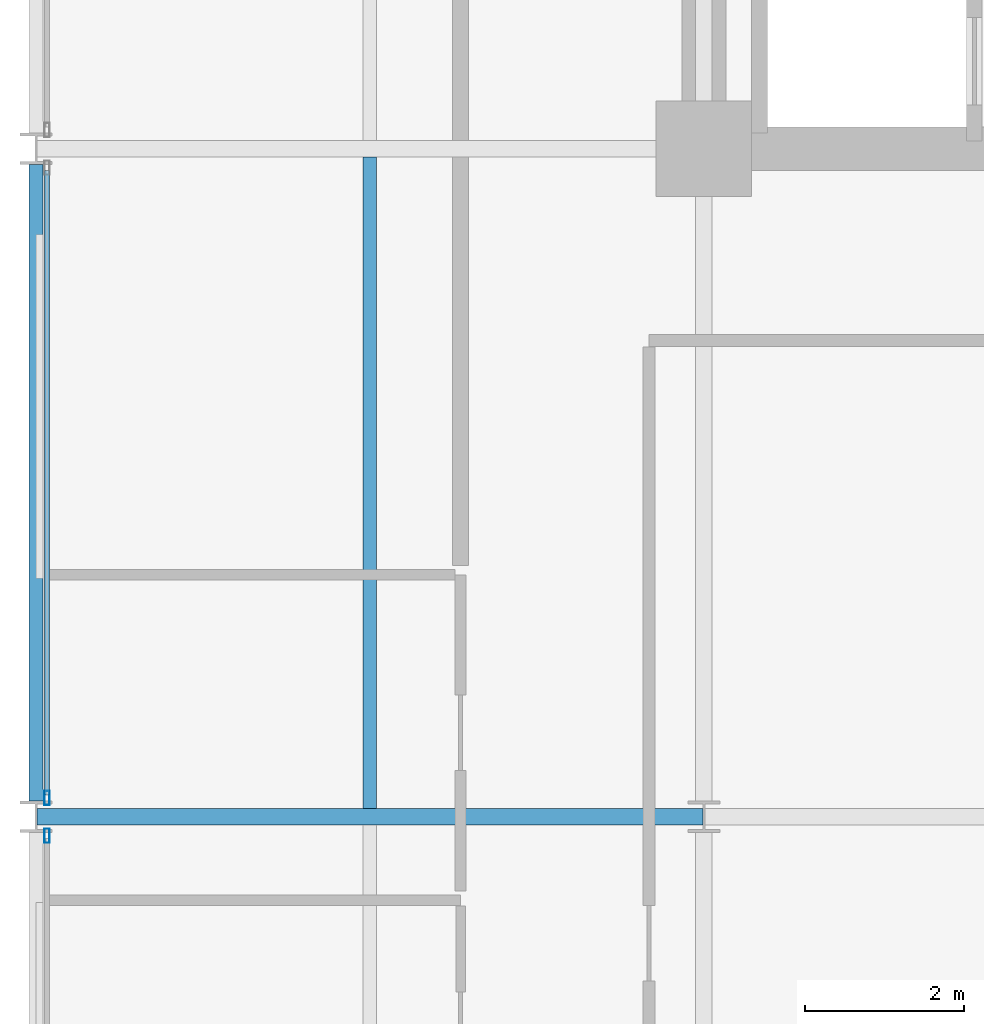
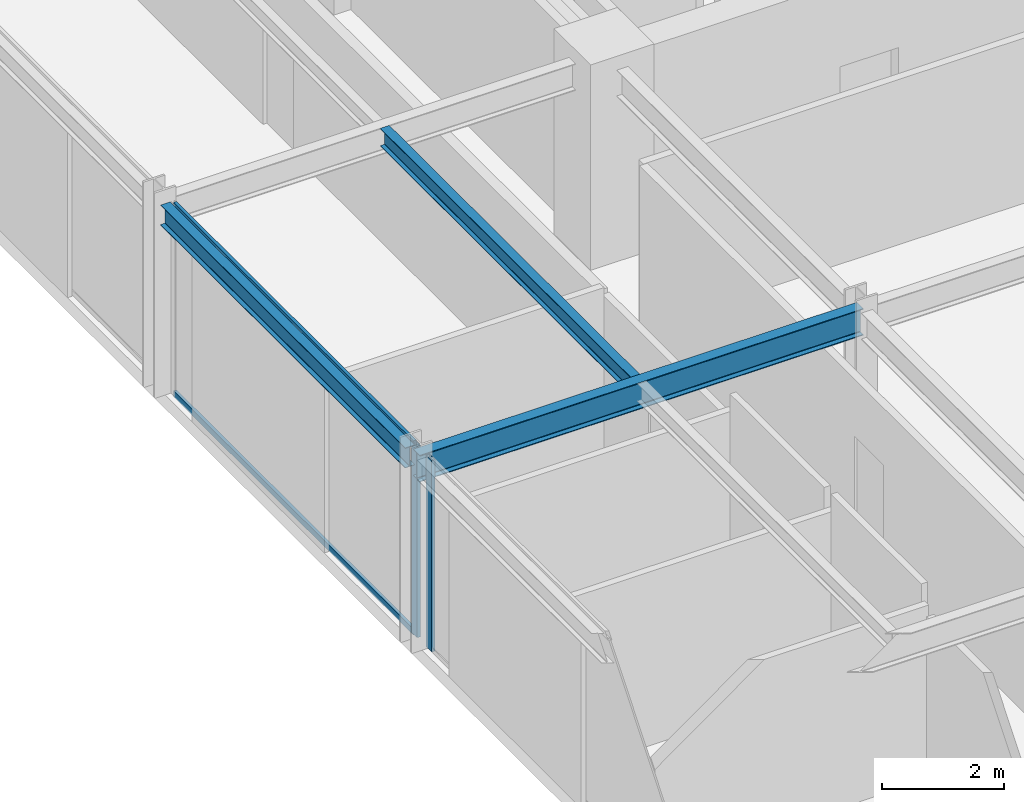
# One storey, part 8 of 29: 4 members, 3 beams, 2 elements without a shape of their own.
"""IFC4 building model written with IfcOpenShell, lengths in metres."""

from ifc_helpers import new_model, si_unit, direction, frame, origin, origin_2d, place, context, subcontext, project, spatial, hollow_rectangle, i_section, extrude, material, layer, layer_set, material_profile, profile_set, type_object, element, aggregate, save


model = new_model("IFC4")

# Units and contexts
model_context = context("Model", 3, precision=1e-05, world=origin(), true_north=direction((0.0, 1.0)))
body_context = subcontext(model_context, "Body", "Model", "MODEL_VIEW")
ifc_project = project(units=[si_unit("LENGTHUNIT", "METRE"), si_unit("AREAUNIT", "SQUARE_METRE"), si_unit("VOLUMEUNIT", "CUBIC_METRE"), si_unit("PLANEANGLEUNIT", "RADIAN"), si_unit("MASSUNIT", "GRAM", prefix="KILO")], contexts=[model_context])

# Site, building, storey
site_placement = place(None, origin())
site = spatial("IfcSite", under=ifc_project, at=site_placement, CompositionType="ELEMENT")
building_placement = place(site_placement, origin())
building = spatial("IfcBuilding", under=site, at=building_placement, Name="Nerrivon Quay Data Exchange", CompositionType="ELEMENT")
storey_placement = place(building_placement, frame((0.0, 0.0, 150.0)))
storey = spatial("IfcBuildingStorey", under=building, at=storey_placement, Name="L35", CompositionType="ELEMENT", Elevation=150.0)

# Beams
ifc_material_1 = material(Name="Steel Grade 350", Category="steel")
ifc_material_profile_1 = material_profile(ifc_material_1, i_section(OverallWidth=0.208984375, OverallDepth=0.532958984375, WebThickness=0.01025390625, FlangeThickness=0.015625, FilletRadius=0.013916015625, at=origin_2d()), Name="530UB92.4")
ifc_profile_set_1 = profile_set([ifc_material_profile_1], Name="Steel Grade 350")
beam_type_1 = type_object("IfcBeamType", Name="BM-G3-530UB92", PredefinedType="BEAM", material=ifc_profile_set_1)
beam_1_placement = place(storey_placement, frame((0.012451171875, 16.800048828125, 3.55859375), z_axis=(1.0, 0.0, 0.0), x_axis=(0.0, 1.0, 0.0)))
element("IfcBeam", 1, at=beam_1_placement, inside=storey, type_object=beam_type_1, Name="L35 EW Girder Y=16.8 (0.0..8.4)", PredefinedType="BEAM", context=body_context, shape_type="SweptSolid", body=[
    extrude(i_section(OverallWidth=0.208984375, OverallDepth=0.532958984375, WebThickness=0.01025390625, FlangeThickness=0.015625, FilletRadius=0.013916015625, at=origin_2d()), origin(), (0.0, 0.0, 1.0), 8.375),
])
ifc_material_profile_2 = material_profile(ifc_material_1, i_section(OverallWidth=0.1708984375, OverallDepth=0.35595703125, WebThickness=0.00732421875, FlangeThickness=0.011474609375, FilletRadius=0.011474609375, at=origin_2d()), Name="360UB50.7")
ifc_profile_set_2 = profile_set([ifc_material_profile_2], Name="Steel Grade 350")
beam_type_2 = type_object("IfcBeamType", Name="BM-J4-360UB51", PredefinedType="JOIST", material=ifc_profile_set_2)
beam_2_placement = place(storey_placement, frame((4.199951171875, 16.904541015625, 3.64697265625), z_axis=(0.0, 1.0, 0.0), x_axis=(-1.0, 0.0, 0.0)))
element("IfcBeam", 2, at=beam_2_placement, inside=storey, type_object=beam_type_2, Name="L35 Secondary Joist X=4.2 (16.8..25.2)", PredefinedType="JOIST", context=body_context, shape_type="SweptSolid", body=[
    extrude(i_section(OverallWidth=0.1708984375, OverallDepth=0.35595703125, WebThickness=0.00732421875, FlangeThickness=0.011474609375, FilletRadius=0.011474609375, at=origin_2d()), origin(), (0.0, 0.0, 1.0), 8.19091796875),
])
ifc_material_profile_3 = material_profile(ifc_material_1, i_section(OverallWidth=0.177978515625, OverallDepth=0.403076171875, WebThickness=0.007568359375, FlangeThickness=0.010986328125, FilletRadius=0.011474609375, at=origin_2d()), Name="410UB53.7")
ifc_profile_set_3 = profile_set([ifc_material_profile_3], Name="Steel Grade 350")
beam_type_3 = type_object("IfcBeamType", Name="BM-SP2-410UB54", PredefinedType="SPANDREL", material=ifc_profile_set_3)
beam_3_placement = place(storey_placement, frame((0.0, 17.0, 3.62353515625), z_axis=(0.0, 1.0, 0.0), x_axis=(-1.0, 0.0, 0.0)))
element("IfcBeam", 3, at=beam_3_placement, inside=storey, type_object=beam_type_3, Name="L35 NS Girder X=0.0 (16.8..25.2)", PredefinedType="SPANDREL", context=body_context, shape_type="SweptSolid", body=[
    extrude(i_section(OverallWidth=0.177978515625, OverallDepth=0.403076171875, WebThickness=0.007568359375, FlangeThickness=0.010986328125, FilletRadius=0.011474609375, at=origin_2d()), origin(), (0.0, 0.0, 1.0), 8.0),
])

# Curtain wall, member
ifc_material_2 = material(Name="Anodised aluminium 6063-T6", Category="aluminium")
ifc_layer = layer(ifc_material_2, 0.2099609375)
ifc_layer_set = layer_set([ifc_layer], Name="Anodised aluminium 6063-T6")
curtain_wall_type = type_object("IfcCurtainWallType", Name="CW-SYS-02", PredefinedType="NOTDEFINED", material=ifc_layer_set)
curtain_wall_1_placement = place(storey_placement, origin())
curtain_wall_1 = element("IfcCurtainWall", 4, at=curtain_wall_1_placement, inside=storey, type_object=curtain_wall_type, Name="L35 Unitised Curtain Wall 12", PredefinedType="NOTDEFINED")
ifc_material_profile_4 = material_profile(ifc_material_2, hollow_rectangle(XDim=0.06494140625, YDim=0.179931640625, WallThickness=0.00341796875, at=origin_2d()), Name="ALU-MULL-180x65")
ifc_profile_set_4 = profile_set([ifc_material_profile_4], Name="Anodised aluminium 6063-T6")
member_type_1 = type_object("IfcMemberType", Name="CWM-180x65", PredefinedType="MULLION", material=ifc_profile_set_4)
member_1_placement = place(storey_placement, frame((0.139892578125, 16.5625, 0.0), z_axis=(0.0, 0.0, 1.0), x_axis=(-1.0, 0.0, 0.0)))
member_1 = element("IfcMember", 5, at=member_1_placement, type_object=member_type_1, Name="CW02 mullion 2", PredefinedType="MULLION", context=body_context, shape_type="SweptSolid", body=[
    extrude(hollow_rectangle(XDim=0.06494140625, YDim=0.179931640625, WallThickness=0.00341796875, at=origin_2d()), origin(), (0.0, 0.0, 1.0), 3.824951171875),
])
aggregate(curtain_wall_1, [member_1])

# Curtain wall, members
curtain_wall_2_placement = place(storey_placement, origin())
curtain_wall_2 = element("IfcCurtainWall", 6, at=curtain_wall_2_placement, inside=storey, type_object=curtain_wall_type, Name="L35 Unitised Curtain Wall 13", PredefinedType="NOTDEFINED")
member_2_placement = place(storey_placement, frame((0.139892578125, 17.03759765625, 0.0), z_axis=(0.0, 0.0, 1.0), x_axis=(-1.0, 0.0, 0.0)))
member_2 = element("IfcMember", 7, at=member_2_placement, type_object=member_type_1, Name="CW02 mullion 1", PredefinedType="MULLION", context=body_context, shape_type="SweptSolid", body=[
    extrude(hollow_rectangle(XDim=0.06494140625, YDim=0.179931640625, WallThickness=0.00341796875, at=origin_2d()), origin(), (0.0, 0.0, 1.0), 3.824951171875),
])
ifc_material_profile_5 = material_profile(ifc_material_2, hollow_rectangle(XDim=0.06005859375, YDim=0.1201171875, WallThickness=0.003173828125, at=origin_2d()), Name="ALU-TRAN-120x60")
ifc_profile_set_5 = profile_set([ifc_material_profile_5], Name="Anodised aluminium 6063-T6")
member_type_2 = type_object("IfcMemberType", Name="CWT-120x60", PredefinedType="USERDEFINED", material=ifc_profile_set_5)
member_3_placement = place(storey_placement, frame((0.139892578125, 17.074951171875, 0.032470703125), z_axis=(0.0, 1.0, 0.0), x_axis=(-1.0, 0.0, 0.0)))
member_3 = element("IfcMember", 8, at=member_3_placement, type_object=member_type_2, Name="CW02 transom 1.1", ObjectType="TRANSOM", PredefinedType="USERDEFINED", context=body_context, shape_type="SweptSolid", body=[
    extrude(hollow_rectangle(XDim=0.06005859375, YDim=0.1201171875, WallThickness=0.003173828125, at=origin_2d()), origin(), (0.0, 0.0, 1.0), 7.85009765625),
])
member_4_placement = place(storey_placement, frame((0.139892578125, 17.074951171875, 3.79248046875), z_axis=(0.0, 1.0, 0.0), x_axis=(-1.0, 0.0, 0.0)))
member_4 = element("IfcMember", 9, at=member_4_placement, type_object=member_type_2, Name="CW02 transom 1.2", ObjectType="TRANSOM", PredefinedType="USERDEFINED", context=body_context, shape_type="SweptSolid", body=[
    extrude(hollow_rectangle(XDim=0.06005859375, YDim=0.1201171875, WallThickness=0.003173828125, at=origin_2d()), origin(), (0.0, 0.0, 1.0), 7.85009765625),
])
aggregate(curtain_wall_2, [member_2, member_3, member_4])

save(model, "model.ifc")
